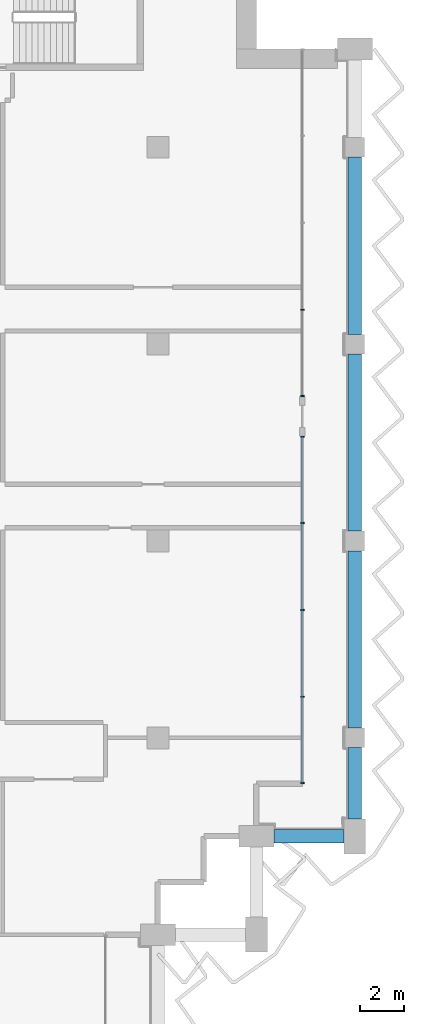
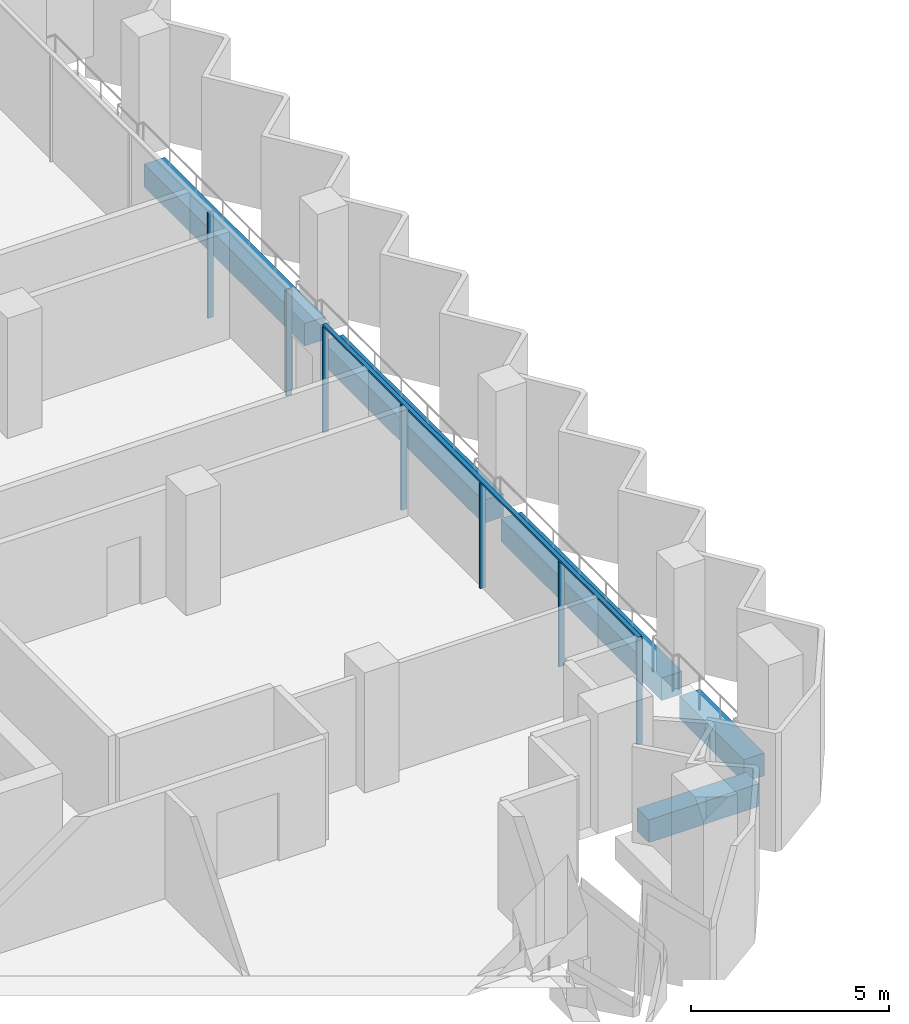
# One storey, part 4 of 16: 8 members, 5 beams, 2 elements without a shape of their own.
"""IFC4 building model written with IfcOpenShell, lengths in metres."""

from ifc_helpers import new_model, si_unit, direction, frame, origin, origin_2d, place, context, subcontext, project, spatial, rectangle, extrude, material, material_profile, profile_set, type_object, element, aggregate, save


model = new_model("IFC4")

# Units and contexts
model_context = context("Model", 3, precision=1e-05, world=origin(), true_north=direction((0.0, 1.0)))
body_context = subcontext(model_context, "Body", "Model", "MODEL_VIEW")
ifc_project = project(units=[si_unit("LENGTHUNIT", "METRE"), si_unit("AREAUNIT", "SQUARE_METRE"), si_unit("VOLUMEUNIT", "CUBIC_METRE"), si_unit("PLANEANGLEUNIT", "RADIAN"), si_unit("MASSUNIT", "GRAM", prefix="KILO")], contexts=[model_context])

# Site, building, storey
site_placement = place(None, origin())
site = spatial("IfcSite", under=ifc_project, at=site_placement, CompositionType="ELEMENT")
building_placement = place(site_placement, origin())
building = spatial("IfcBuilding", under=site, at=building_placement, Name="Hunhe Ridgeline Campus", CompositionType="ELEMENT")
storey_placement = place(building_placement, frame((0.0, 0.0, 246.60009765625)))
storey = spatial("IfcBuildingStorey", under=building, at=storey_placement, Name="L63", CompositionType="ELEMENT", Elevation=246.60009765625)

# Curtain wall, members
ifc_material_1 = material(Name="Aluminium 6063", Category="aluminium")
curtain_wall_type = type_object("IfcCurtainWallType", Name="Curtain wall CW-1", PredefinedType="NOTDEFINED", material=ifc_material_1)
curtain_wall_1_placement = place(storey_placement, origin())
curtain_wall_1 = element("IfcCurtainWall", 1, at=curtain_wall_1_placement, inside=storey, type_object=curtain_wall_type, Name="Curtain wall 12", PredefinedType="NOTDEFINED")
ifc_material_profile_1 = material_profile(ifc_material_1, rectangle(XDim=0.159912109375, YDim=0.06005859375, at=origin_2d()))
ifc_profile_set_1 = profile_set([ifc_material_profile_1], Name="Aluminium 6063")
member_type_1 = type_object("IfcMemberType", Name="CW-1 aluminium mullion", PredefinedType="MULLION", material=ifc_profile_set_1)
member_1_placement = place(storey_placement, frame((51.59912109375, 60.930908203125, 0.0), z_axis=(0.0, 0.0, 1.0), x_axis=(-1.0, 0.0, 0.0)))
member_1 = element("IfcMember", 2, at=member_1_placement, type_object=member_type_1, Name="CW-1 mullion 1", PredefinedType="MULLION", context=body_context, shape_type="SweptSolid", body=[
    extrude(rectangle(XDim=0.159912109375, YDim=0.06005859375, at=origin_2d()), origin(), (0.0, 0.0, 1.0), 3.239990234375),
])
member_2_placement = place(storey_placement, frame((51.59912109375, 64.8759765625, 0.0), z_axis=(0.0, 0.0, 1.0), x_axis=(-1.0, 0.0, 0.0)))
member_2 = element("IfcMember", 3, at=member_2_placement, type_object=member_type_1, Name="CW-1 mullion 2", PredefinedType="MULLION", context=body_context, shape_type="SweptSolid", body=[
    extrude(rectangle(XDim=0.159912109375, YDim=0.06005859375, at=origin_2d()), origin(), (0.0, 0.0, 1.0), 3.239990234375),
])
member_3_placement = place(storey_placement, frame((51.59912109375, 68.850830078125, 0.0), z_axis=(0.0, 0.0, 1.0), x_axis=(-1.0, 0.0, 0.0)))
member_3 = element("IfcMember", 4, at=member_3_placement, type_object=member_type_1, Name="CW-1 mullion 3", PredefinedType="MULLION", context=body_context, shape_type="SweptSolid", body=[
    extrude(rectangle(XDim=0.159912109375, YDim=0.06005859375, at=origin_2d()), origin(), (0.0, 0.0, 1.0), 3.239990234375),
])
member_4_placement = place(storey_placement, frame((51.59912109375, 72.82568359375, 0.0), z_axis=(0.0, 0.0, 1.0), x_axis=(-1.0, 0.0, 0.0)))
member_4 = element("IfcMember", 5, at=member_4_placement, type_object=member_type_1, Name="CW-1 mullion 4", PredefinedType="MULLION", context=body_context, shape_type="SweptSolid", body=[
    extrude(rectangle(XDim=0.159912109375, YDim=0.06005859375, at=origin_2d()), origin(), (0.0, 0.0, 1.0), 3.239990234375),
])
member_5_placement = place(storey_placement, frame((51.59912109375, 76.7705078125, 0.0), z_axis=(0.0, 0.0, 1.0), x_axis=(-1.0, 0.0, 0.0)))
member_5 = element("IfcMember", 6, at=member_5_placement, type_object=member_type_1, Name="CW-1 mullion 5", PredefinedType="MULLION", context=body_context, shape_type="SweptSolid", body=[
    extrude(rectangle(XDim=0.159912109375, YDim=0.06005859375, at=origin_2d()), origin(), (0.0, 0.0, 1.0), 3.239990234375),
])

curtain_wall_2_placement = place(storey_placement, origin())
curtain_wall_2 = element("IfcCurtainWall", 7, at=curtain_wall_2_placement, inside=storey, type_object=curtain_wall_type, Name="Curtain wall 13", PredefinedType="NOTDEFINED")
member_6_placement = place(storey_placement, frame((51.59912109375, 78.630615234375, 0.0), z_axis=(0.0, 0.0, 1.0), x_axis=(-1.0, 0.0, 0.0)))
member_6 = element("IfcMember", 8, at=member_6_placement, type_object=member_type_1, Name="CW-1 mullion 1", PredefinedType="MULLION", context=body_context, shape_type="SweptSolid", body=[
    extrude(rectangle(XDim=0.159912109375, YDim=0.06005859375, at=origin_2d()), origin(), (0.0, 0.0, 1.0), 3.239990234375),
])
member_7_placement = place(storey_placement, frame((51.59912109375, 82.575439453125, 0.0), z_axis=(0.0, 0.0, 1.0), x_axis=(-1.0, 0.0, 0.0)))
member_7 = element("IfcMember", 9, at=member_7_placement, type_object=member_type_1, Name="CW-1 mullion 2", PredefinedType="MULLION", context=body_context, shape_type="SweptSolid", body=[
    extrude(rectangle(XDim=0.159912109375, YDim=0.06005859375, at=origin_2d()), origin(), (0.0, 0.0, 1.0), 3.239990234375),
])
aggregate(curtain_wall_2, [member_6, member_7])

# Member
ifc_material_profile_2 = material_profile(ifc_material_1, rectangle(XDim=0.1201171875, YDim=0.06005859375, at=origin_2d()))
ifc_profile_set_2 = profile_set([ifc_material_profile_2], Name="Aluminium 6063")
member_type_2 = type_object("IfcMemberType", Name="CW-1 aluminium transom", PredefinedType="USERDEFINED", material=ifc_profile_set_2)
member_8_placement = place(storey_placement, frame((51.59912109375, 60.90087890625, 3.27001953125), z_axis=(0.0, 1.0, 0.0), x_axis=(-1.0, 0.0, 0.0)))
member_8 = element("IfcMember", 10, at=member_8_placement, type_object=member_type_2, Name="CW-1 transom 1", ObjectType="TRANSOM", PredefinedType="USERDEFINED", context=body_context, shape_type="SweptSolid", body=[
    extrude(rectangle(XDim=0.1201171875, YDim=0.06005859375, at=origin_2d()), origin(), (0.0, 0.0, 1.0), 15.899658203125),
])

aggregate(curtain_wall_1, [member_8, member_1, member_2, member_3, member_4, member_5])

# Beams
ifc_material_2 = material(Name="Concrete C50", Category="concrete")
ifc_material_profile_3 = material_profile(ifc_material_2, rectangle(XDim=0.60009765625, YDim=0.699951171875, at=origin_2d()))
ifc_profile_set_3 = profile_set([ifc_material_profile_3], Name="Concrete C50")
beam_type = type_object("IfcBeamType", Name="RC spandrel beam 600x700 Concrete C50", PredefinedType="SPANDREL", material=ifc_profile_set_3)
beam_1_placement = place(storey_placement, frame((50.300048828125, 58.5, -0.60009765625), z_axis=(1.0, 0.0, 0.0), x_axis=(0.0, 1.0, 0.0)))
element("IfcBeam", 11, at=beam_1_placement, inside=storey, type_object=beam_type, Name="Spandrel beam B4-12 L63", PredefinedType="SPANDREL", context=body_context, shape_type="SweptSolid", body=[
    extrude(rectangle(XDim=0.60009765625, YDim=0.699951171875, at=origin_2d()), origin(), (0.0, 0.0, 1.0), 3.199951171875),
])
beam_2_placement = place(storey_placement, frame((54.0, 59.300048828125, -0.60009765625), z_axis=(0.0, 1.0, 0.0), x_axis=(-1.0, 0.0, 0.0)))
element("IfcBeam", 12, at=beam_2_placement, inside=storey, type_object=beam_type, Name="Spandrel beam B4-13 L63", PredefinedType="SPANDREL", context=body_context, shape_type="SweptSolid", body=[
    extrude(rectangle(XDim=0.60009765625, YDim=0.699951171875, at=origin_2d()), origin(), (0.0, 0.0, 1.0), 3.25),
])
for number, where, z_axis, x_axis, name in (
    (13, (54.0, 63.449951171875, -0.60009765625), (0.0, 1.0, 0.0), (-1.0, 0.0, 0.0), "Spandrel beam B4-14 L63"),
    (14, (54.0, 72.449951171875, -0.60009765625), (0.0, 1.0, 0.0), (-1.0, 0.0, 0.0), "Spandrel beam B4-15 L63"),
    (15, (54.0, 81.449951171875, -0.60009765625), (0.0, 1.0, 0.0), (-1.0, 0.0, 0.0), "Spandrel beam B4-16 L63"),
):
    element("IfcBeam", number, at=place(storey_placement, frame(where, z_axis=z_axis, x_axis=x_axis)), inside=storey, type_object=beam_type, Name=name, PredefinedType="SPANDREL", context=body_context, shape_type="SweptSolid", body=[
        extrude(rectangle(XDim=0.60009765625, YDim=0.699951171875, at=origin_2d()), origin(), (0.0, 0.0, 1.0), 8.10009765625),
    ])

save(model, "model.ifc")
